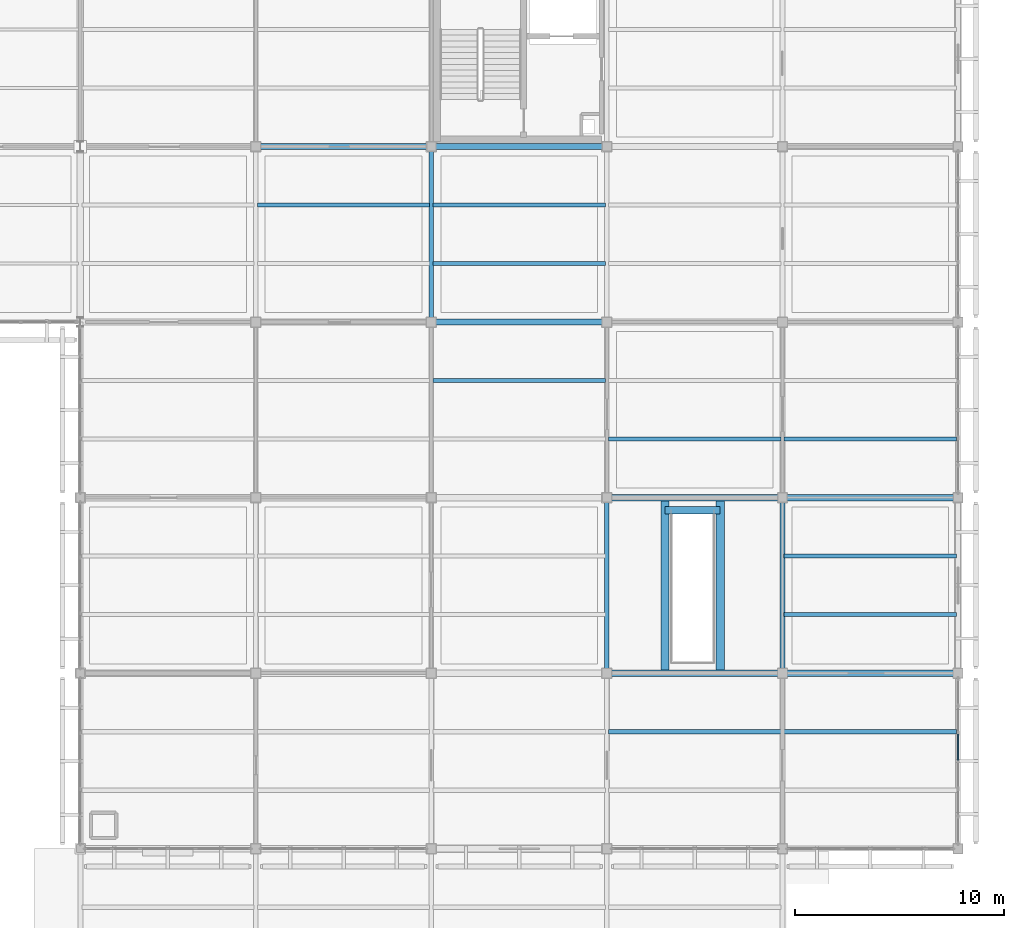
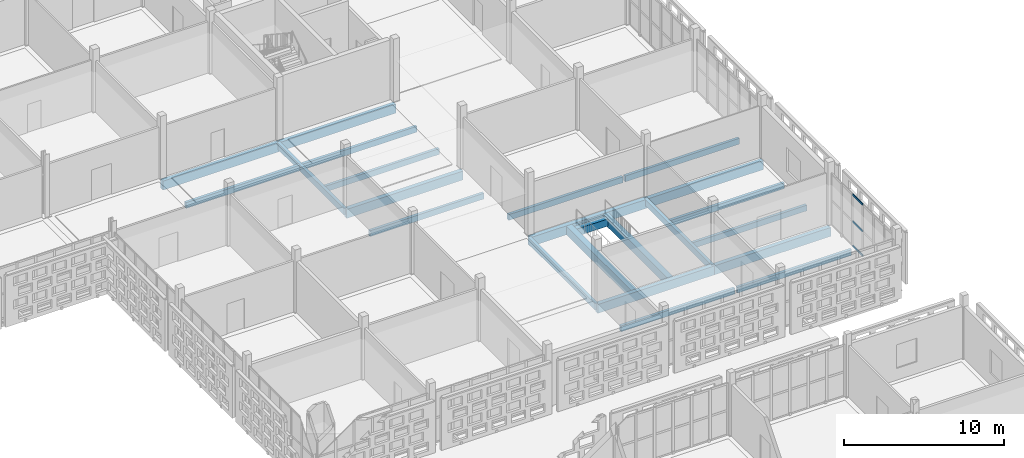
# One storey, part 80 of 203: 23 beams, 3 members, 1 element without a shape of its own.
"""IFC4 building model written with IfcOpenShell, lengths in metres."""

from ifc_helpers import new_model, si_unit, direction, frame, origin, origin_2d, place, context, subcontext, project, spatial, rectangle, extrude, material, layer, layer_set, material_profile, profile_set, type_object, element, aggregate, save


model = new_model("IFC4")

# Units and contexts
model_context = context("Model", 3, precision=1e-05, world=origin(), true_north=direction((0.0, 1.0)))
body_context = subcontext(model_context, "Body", "Model", "MODEL_VIEW")
ifc_project = project(units=[si_unit("LENGTHUNIT", "METRE"), si_unit("AREAUNIT", "SQUARE_METRE"), si_unit("VOLUMEUNIT", "CUBIC_METRE"), si_unit("PLANEANGLEUNIT", "RADIAN"), si_unit("MASSUNIT", "GRAM", prefix="KILO")], contexts=[model_context])

# Site, building, storey
site_placement = place(None, origin())
site = spatial("IfcSite", under=ifc_project, at=site_placement, CompositionType="ELEMENT")
building_placement = place(site_placement, origin())
building = spatial("IfcBuilding", under=site, at=building_placement, Name="Varnapada Polytechnic", CompositionType="ELEMENT")
storey_placement = place(building_placement, frame((0.0, 0.0, 4.800048828125)))
storey = spatial("IfcBuildingStorey", under=building, at=storey_placement, Name="L01", CompositionType="ELEMENT", Elevation=4.800048828125)

# Beams
ifc_material_1 = material(Name="Concrete C40/50", Category="concrete")
ifc_material_profile_1 = material_profile(ifc_material_1, rectangle(XDim=0.35009765625, YDim=0.550048828125, at=origin_2d()), Name="RC 350x550")
ifc_profile_set_1 = profile_set([ifc_material_profile_1], Name="Concrete C40/50")
beam_type_1 = type_object("IfcBeamType", Name="Concrete podium spandrel beam SP-01 (RC 350x550)", PredefinedType="SPANDREL", material=ifc_profile_set_1)
beam_1_placement = place(storey_placement, frame((162.3798828125, 75.0, -0.53515625), z_axis=(1.0, 0.0, 0.0), x_axis=(0.0, 1.0, 0.0)))
element("IfcBeam", 1, at=beam_1_placement, inside=storey, type_object=beam_type_1, Name="L01 feature stair ST-F4 arrival beam", PredefinedType="SPANDREL", context=body_context, shape_type="SweptSolid", body=[
    extrude(rectangle(XDim=0.35009765625, YDim=0.550048828125, at=origin_2d()), origin(), (0.0, 0.0, 1.0), 2.64013671875),
])
ifc_material_2 = material(Name="Glulam GL32h", Category="wood")
ifc_material_profile_2 = material_profile(ifc_material_2, rectangle(XDim=0.199951171875, YDim=0.43994140625, at=origin_2d()), Name="GL 200x440")
ifc_profile_set_2 = profile_set([ifc_material_profile_2], Name="Glulam GL32h")
beam_type_2 = type_object("IfcBeamType", Name="Heavy laboratory glulam joist GJ-03 (GL 200x440)", PredefinedType="JOIST", material=ifc_profile_set_2)
beam_2_placement = place(storey_placement, frame((142.8798828125, 89.60009765625, -0.469970703125), z_axis=(1.0, 0.0, 0.0), x_axis=(0.0, 1.0, 0.0)))
element("IfcBeam", 2, at=beam_2_placement, inside=storey, type_object=beam_type_2, Name="L01 floor joist 18/11.2", PredefinedType="JOIST", context=body_context, shape_type="SweptSolid", body=[
    extrude(rectangle(XDim=0.199951171875, YDim=0.43994140625, at=origin_2d()), origin(), (0.0, 0.0, 1.0), 8.240234375),
])
for number, where, z_axis, x_axis, name in (
    (3, (151.280029296875, 81.199951171875, -0.469970703125), (1.0, 0.0, 0.0), (0.0, 1.0, 0.0), "L01 floor joist 19/10.2"),
    (4, (151.280029296875, 86.800048828125, -0.469970703125), (1.0, 0.0, 0.0), (0.0, 1.0, 0.0), "L01 floor joist 19/11.1"),
    (5, (151.280029296875, 89.60009765625, -0.469970703125), (1.0, 0.0, 0.0), (0.0, 1.0, 0.0), "L01 floor joist 19/11.2"),
    (6, (159.679931640625, 64.39990234375, -0.469970703125), (1.0, 0.0, 0.0), (0.0, 1.0, 0.0), "L01 floor joist 20/8.2"),
    (7, (159.679931640625, 78.39990234375, -0.469970703125), (1.0, 0.0, 0.0), (0.0, 1.0, 0.0), "L01 floor joist 20/10.1"),
    (8, (168.080078125, 64.39990234375, -0.469970703125), (1.0, 0.0, 0.0), (0.0, 1.0, 0.0), "L01 floor joist 21/8.2"),
    (9, (168.080078125, 70.0, -0.469970703125), (1.0, 0.0, 0.0), (0.0, 1.0, 0.0), "L01 floor joist 21/9.1"),
    (10, (168.080078125, 72.800048828125, -0.469970703125), (1.0, 0.0, 0.0), (0.0, 1.0, 0.0), "L01 floor joist 21/9.2"),
    (11, (168.080078125, 78.39990234375, -0.469970703125), (1.0, 0.0, 0.0), (0.0, 1.0, 0.0), "L01 floor joist 21/10.1"),
):
    element("IfcBeam", number, at=place(storey_placement, frame(where, z_axis=z_axis, x_axis=x_axis)), inside=storey, type_object=beam_type_2, Name=name, PredefinedType="JOIST", context=body_context, shape_type="SweptSolid", body=[
        extrude(rectangle(XDim=0.199951171875, YDim=0.43994140625, at=origin_2d()), origin(), (0.0, 0.0, 1.0), 8.239990234375),
    ])
ifc_material_profile_3 = material_profile(ifc_material_1, rectangle(XDim=0.39990234375, YDim=0.64990234375, at=origin_2d()), Name="RC 400x650")
ifc_profile_set_3 = profile_set([ifc_material_profile_3], Name="Concrete C40/50")
beam_type_3 = type_object("IfcBeamType", Name="Podium framing beam BB-02 (RC 400x650)", PredefinedType="BEAM", material=ifc_profile_set_3)
for number, where, z_axis, x_axis, name in (
    (12, (162.3798828125, 67.199951171875, -0.5849609375), (0.0, 1.0, 0.0), (-1.0, 0.0, 0.0), "L01 feature stair ST-F4 trimmer girder L"),
    (13, (165.02001953125, 67.199951171875, -0.5849609375), (0.0, 1.0, 0.0), (-1.0, 0.0, 0.0), "L01 feature stair ST-F4 trimmer girder R"),
):
    element("IfcBeam", number, at=place(storey_placement, frame(where, z_axis=z_axis, x_axis=x_axis)), inside=storey, type_object=beam_type_3, Name=name, PredefinedType="BEAM", context=body_context, shape_type="SweptSolid", body=[
        extrude(rectangle(XDim=0.39990234375, YDim=0.64990234375, at=origin_2d()), origin(), (0.0, 0.0, 1.0), 8.400146484375),
    ])

# Curtain wall, members
ifc_material_3 = material(Name="Double low-E laminated glass", Category="glass")
ifc_layer = layer(ifc_material_3, 0.179931640625)
ifc_layer_set = layer_set([ifc_layer], Name="Double low-E laminated glass")
curtain_wall_type = type_object("IfcCurtainWallType", Name="Curtain Wall CW-04", PredefinedType="NOTDEFINED", material=ifc_layer_set)
curtain_wall_placement = place(storey_placement, origin())
curtain_wall = element("IfcCurtainWall", 14, at=curtain_wall_placement, inside=storey, type_object=curtain_wall_type, Name="L01 unitised curtain wall CW-04 (122)", PredefinedType="NOTDEFINED")
ifc_material_4 = material(Name="Anodised aluminium", Category="aluminium")
ifc_material_profile_4 = material_profile(ifc_material_4, rectangle(XDim=0.06494140625, YDim=0.139892578125, at=origin_2d()), Name="ALU T65x140")
ifc_profile_set_4 = profile_set([ifc_material_profile_4], Name="Anodised aluminium")
member_type = type_object("IfcMemberType", Name="Transom T-02", PredefinedType="USERDEFINED", material=ifc_profile_set_4)
member_1_placement = place(storey_placement, frame((176.39990234375, 64.28759765625, 0.032470703125), z_axis=(0.0, -1.0, 0.0), x_axis=(1.0, 0.0, 0.0)))
member_1 = element("IfcMember", 15, at=member_1_placement, type_object=member_type, Name="CW-04 transom 3.1", ObjectType="TRANSOM", PredefinedType="USERDEFINED", context=body_context, shape_type="SweptSolid", body=[
    extrude(rectangle(XDim=0.06494140625, YDim=0.139892578125, at=origin_2d()), origin(), (0.0, 0.0, 1.0), 1.260009765625),
])
member_2_placement = place(storey_placement, frame((176.39990234375, 64.28759765625, 1.900634765625), z_axis=(0.0, -1.0, 0.0), x_axis=(1.0, 0.0, 0.0)))
member_2 = element("IfcMember", 16, at=member_2_placement, type_object=member_type, Name="CW-04 transom 3.2", ObjectType="TRANSOM", PredefinedType="USERDEFINED", context=body_context, shape_type="SweptSolid", body=[
    extrude(rectangle(XDim=0.06494140625, YDim=0.139892578125, at=origin_2d()), origin(), (0.0, 0.0, 1.0), 1.260009765625),
])
member_3_placement = place(storey_placement, frame((176.39990234375, 64.28759765625, 3.927490234375), z_axis=(0.0, -1.0, 0.0), x_axis=(1.0, 0.0, 0.0)))
member_3 = element("IfcMember", 17, at=member_3_placement, type_object=member_type, Name="CW-04 transom 3.3", ObjectType="TRANSOM", PredefinedType="USERDEFINED", context=body_context, shape_type="SweptSolid", body=[
    extrude(rectangle(XDim=0.06494140625, YDim=0.139892578125, at=origin_2d()), origin(), (0.0, 0.0, 1.0), 1.260009765625),
])
aggregate(curtain_wall, [member_1, member_2, member_3])

# Beams
ifc_material_profile_5 = material_profile(ifc_material_2, rectangle(XDim=0.219970703125, YDim=0.47998046875, at=origin_2d()), Name="GL 220x480")
ifc_profile_set_5 = profile_set([ifc_material_profile_5], Name="Glulam GL32h")
beam_type_4 = type_object("IfcBeamType", Name="Upper floor glulam tie beam GB-11 (GL 220x480)", PredefinedType="BEAM", material=ifc_profile_set_5)
beam_3_placement = place(storey_placement, frame((151.199951171875, 84.0, -0.489990234375), z_axis=(0.0, 1.0, 0.0), x_axis=(-1.0, 0.0, 0.0)))
element("IfcBeam", 18, at=beam_3_placement, inside=storey, type_object=beam_type_4, Name="L01 beam Y 11-12 at X19", PredefinedType="BEAM", context=body_context, shape_type="SweptSolid", body=[
    extrude(rectangle(XDim=0.219970703125, YDim=0.47998046875, at=origin_2d()), origin(), (0.0, 0.0, 1.0), 8.39990234375),
])
for number, where, z_axis, x_axis, name in (
    (19, (159.60009765625, 67.199951171875, -0.489990234375), (0.0, 1.0, 0.0), (-1.0, 0.0, 0.0), "L01 beam Y 9-10 at X20"),
    (20, (168.0, 67.199951171875, -0.489990234375), (0.0, 1.0, 0.0), (-1.0, 0.0, 0.0), "L01 beam Y 9-10 at X21"),
):
    element("IfcBeam", number, at=place(storey_placement, frame(where, z_axis=z_axis, x_axis=x_axis)), inside=storey, type_object=beam_type_4, Name=name, PredefinedType="BEAM", context=body_context, shape_type="SweptSolid", body=[
        extrude(rectangle(XDim=0.219970703125, YDim=0.47998046875, at=origin_2d()), origin(), (0.0, 0.0, 1.0), 8.400146484375),
    ])
ifc_material_profile_6 = material_profile(ifc_material_2, rectangle(XDim=0.300048828125, YDim=0.679931640625, at=origin_2d()), Name="GL 300x680")
ifc_profile_set_6 = profile_set([ifc_material_profile_6], Name="Glulam GL32h")
beam_type_5 = type_object("IfcBeamType", Name="Wet laboratory glulam girder GG-04 (GL 300x680)", PredefinedType="BEAM", material=ifc_profile_set_6)
beam_4_placement = place(storey_placement, frame((142.800048828125, 92.39990234375, -0.590087890625), z_axis=(1.0, 0.0, 0.0), x_axis=(0.0, 1.0, 0.0)))
element("IfcBeam", 21, at=beam_4_placement, inside=storey, type_object=beam_type_5, Name="L01 beam X 18-19 at Y12", PredefinedType="BEAM", context=body_context, shape_type="SweptSolid", body=[
    extrude(rectangle(XDim=0.300048828125, YDim=0.679931640625, at=origin_2d()), origin(), (0.0, 0.0, 1.0), 8.39990234375),
])
for number, where, z_axis, x_axis, name in (
    (22, (151.199951171875, 84.0, -0.590087890625), (1.0, 0.0, 0.0), (0.0, 1.0, 0.0), "L01 beam X 19-20 at Y11"),
    (23, (151.199951171875, 92.39990234375, -0.590087890625), (1.0, 0.0, 0.0), (0.0, 1.0, 0.0), "L01 beam X 19-20 at Y12"),
):
    element("IfcBeam", number, at=place(storey_placement, frame(where, z_axis=z_axis, x_axis=x_axis)), inside=storey, type_object=beam_type_5, Name=name, PredefinedType="BEAM", context=body_context, shape_type="SweptSolid", body=[
        extrude(rectangle(XDim=0.300048828125, YDim=0.679931640625, at=origin_2d()), origin(), (0.0, 0.0, 1.0), 8.400146484375),
    ])
for number, where, z_axis, x_axis, name in (
    (24, (159.60009765625, 67.199951171875, -0.590087890625), (1.0, 0.0, 0.0), (0.0, 1.0, 0.0), "L01 beam X 20-21 at Y9"),
    (25, (159.60009765625, 75.60009765625, -0.590087890625), (1.0, 0.0, 0.0), (0.0, 1.0, 0.0), "L01 beam X 20-21 at Y10"),
    (26, (168.0, 67.199951171875, -0.590087890625), (1.0, 0.0, 0.0), (0.0, 1.0, 0.0), "L01 beam X 21-22 at Y9"),
    (27, (168.0, 75.60009765625, -0.590087890625), (1.0, 0.0, 0.0), (0.0, 1.0, 0.0), "L01 beam X 21-22 at Y10"),
):
    element("IfcBeam", number, at=place(storey_placement, frame(where, z_axis=z_axis, x_axis=x_axis)), inside=storey, type_object=beam_type_5, Name=name, PredefinedType="BEAM", context=body_context, shape_type="SweptSolid", body=[
        extrude(rectangle(XDim=0.300048828125, YDim=0.679931640625, at=origin_2d()), origin(), (0.0, 0.0, 1.0), 8.39990234375),
    ])

save(model, "model.ifc")
